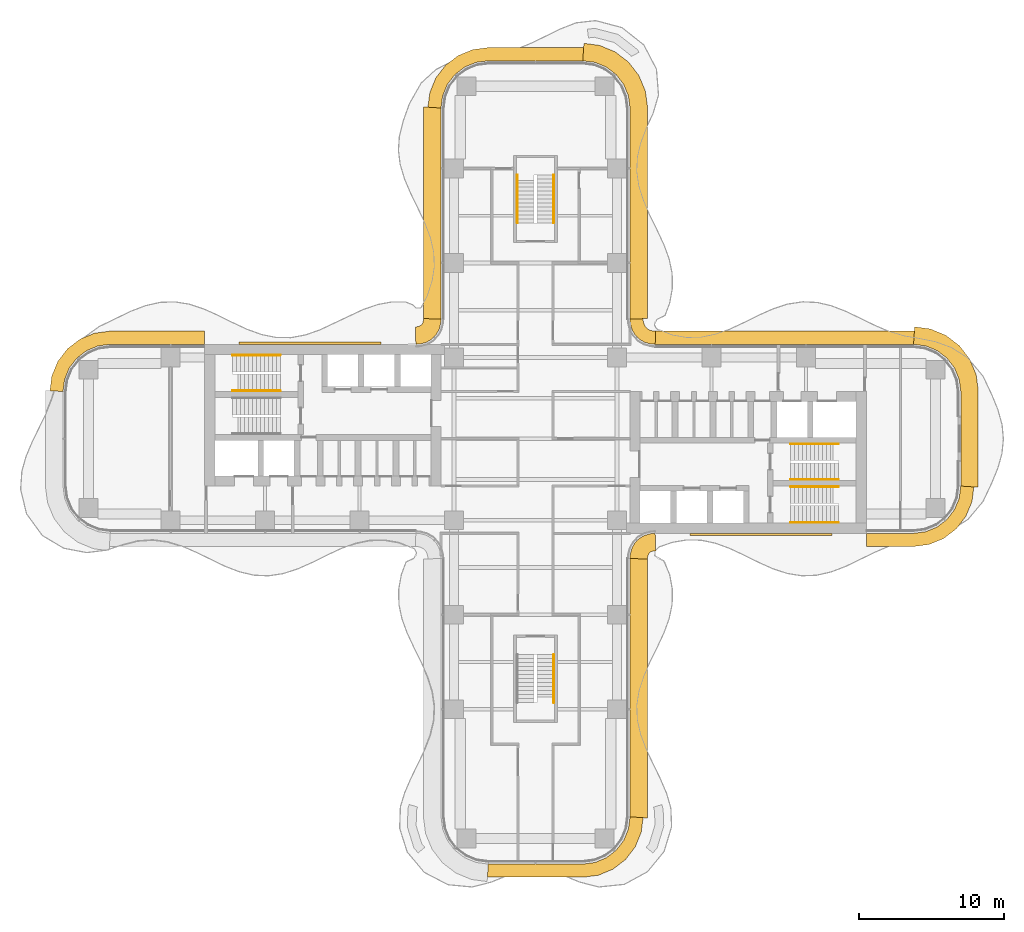
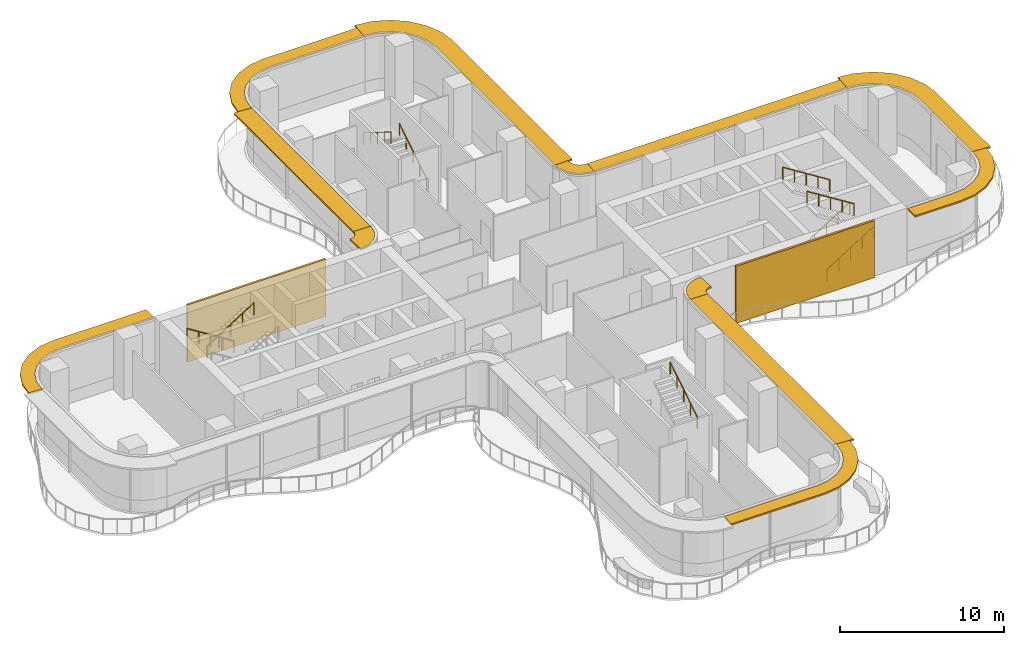
# One storey, part 21 of 21: 12 shading devices, 9 railings, 2 coverings.
"""IFC4 building model written with IfcOpenShell, lengths in metres."""

from ifc_helpers import new_model, si_unit, direction, frame, origin, origin_2d, place, context, subcontext, project, spatial, polyline, circle, outline, extrude, source, transform, mapped, material, layer, layer_set, type_object, element, save


model = new_model("IFC4")

# Units and contexts
model_context = context("Model", 3, precision=1e-05, world=origin(), true_north=direction((0.0, 1.0)))
body_context = subcontext(model_context, "Body", "Model", "MODEL_VIEW")
ifc_project = project(units=[si_unit("LENGTHUNIT", "METRE"), si_unit("AREAUNIT", "SQUARE_METRE"), si_unit("VOLUMEUNIT", "CUBIC_METRE"), si_unit("PLANEANGLEUNIT", "RADIAN"), si_unit("MASSUNIT", "GRAM", prefix="KILO")], contexts=[model_context])

# Site, building, storey
site_placement = place(None, origin())
site = spatial("IfcSite", under=ifc_project, at=site_placement, CompositionType="ELEMENT")
building_placement = place(site_placement, origin())
building = spatial("IfcBuilding", under=site, at=building_placement, Name="Trellis Farm Tower", CompositionType="ELEMENT")
storey_placement = place(building_placement, frame((0.0, 0.0, 115.5)))
storey = spatial("IfcBuildingStorey", under=building, at=storey_placement, Name="L24", CompositionType="ELEMENT", Elevation=115.5)

# Railings
ifc_material_1 = material(Name="Stainless steel", Category="steel")
railing_type = type_object("IfcRailingType", Name="STAIR HANDRAIL 900", PredefinedType="HANDRAIL", material=ifc_material_1)
shared_shape_1 = source(origin(), body_context, "Body", "SweptSolid", [
    extrude(circle(Radius=0.02392578125, at=origin_2d()), frame((0.0, 0.0, 0.8759765625), z_axis=(0.0, 0.846319618018, 0.532675421018), x_axis=(-1.0, 0.0, 0.0)), (0.0, 0.0, 1.0), 3.89892578125),
    extrude(circle(Radius=0.02099609375, at=origin_2d()), origin(), (0.0, 0.0, 1.0), 0.851806640625),
    extrude(circle(Radius=0.02099609375, at=origin_2d()), frame((0.0, 0.824951171875, 0.519287109375)), (0.0, 0.0, 1.0), 0.851806640625),
    extrude(circle(Radius=0.02099609375, at=origin_2d()), frame((0.0, 1.64990234375, 1.03857421875)), (0.0, 0.0, 1.0), 0.851806640625),
    extrude(circle(Radius=0.02099609375, at=origin_2d()), frame((0.0, 2.474853515625, 1.5576171875)), (0.0, 0.0, 1.0), 0.851806640625),
    extrude(circle(Radius=0.02099609375, at=origin_2d()), frame((0.0, 3.2998046875, 2.076904296875)), (0.0, 0.0, 1.0), 0.851806640625),
])
for number, where, name in (
    (1, (1.25, 14.85009765625, 0.173095703125), "Stair handrail"),
    (2, (1.25, -18.14990234375, 2.423095703125), "Stair handrail"),
):
    element("IfcRailing", number, at=place(storey_placement, frame(where)), inside=storey, type_object=railing_type, Name=name, PredefinedType="HANDRAIL", context=body_context, shape_type="MappedRepresentation", body=[
        mapped(shared_shape_1, transform((0.0, 0.0, 0.0))),
    ])
shared_shape_2 = source(origin(), body_context, "Body", "SweptSolid", [
    extrude(circle(Radius=0.02392578125, at=origin_2d()), frame((0.0, 0.0, 0.8759765625), z_axis=(0.0, -0.846319618018, 0.532675421018), x_axis=(1.0, 0.0, 0.0)), (0.0, 0.0, 1.0), 3.89892578125),
    extrude(circle(Radius=0.02099609375, at=origin_2d()), origin(), (0.0, 0.0, 1.0), 0.851806640625),
    extrude(circle(Radius=0.02099609375, at=origin_2d()), frame((0.0, -0.824951171875, 0.519287109375)), (0.0, 0.0, 1.0), 0.851806640625),
    extrude(circle(Radius=0.02099609375, at=origin_2d()), frame((0.0, -1.64990234375, 1.03857421875)), (0.0, 0.0, 1.0), 0.851806640625),
    extrude(circle(Radius=0.02099609375, at=origin_2d()), frame((0.0, -2.474853515625, 1.5576171875)), (0.0, 0.0, 1.0), 0.851806640625),
    extrude(circle(Radius=0.02099609375, at=origin_2d()), frame((0.0, -3.2998046875, 2.076904296875)), (0.0, 0.0, 1.0), 0.851806640625),
])
railing_placement = place(storey_placement, frame((-1.25, 18.14990234375, 2.423095703125)))
element("IfcRailing", 3, at=railing_placement, inside=storey, type_object=railing_type, Name="Stair handrail", PredefinedType="HANDRAIL", context=body_context, shape_type="MappedRepresentation", body=[
    mapped(shared_shape_2, transform((0.0, 0.0, 0.0))),
])
shared_shape_3 = source(origin(), body_context, "Body", "SweptSolid", [
    extrude(circle(Radius=0.02392578125, at=origin_2d()), frame((0.0, 0.0, 0.8759765625), z_axis=(0.846337383501, 0.0, 0.532647194011), x_axis=(0.0, 1.0, 0.0)), (0.0, 0.0, 1.0), 3.899169921875),
    extrude(circle(Radius=0.02099609375, at=origin_2d()), origin(), (0.0, 0.0, 1.0), 0.851806640625),
    extrude(circle(Radius=0.02099609375, at=origin_2d()), frame((0.824951171875, 0.0, 0.519287109375)), (0.0, 0.0, 1.0), 0.851806640625),
    extrude(circle(Radius=0.02099609375, at=origin_2d()), frame((1.64990234375, 0.0, 1.03857421875)), (0.0, 0.0, 1.0), 0.851806640625),
    extrude(circle(Radius=0.02099609375, at=origin_2d()), frame((2.47509765625, 0.0, 1.5576171875)), (0.0, 0.0, 1.0), 0.851806640625),
    extrude(circle(Radius=0.02099609375, at=origin_2d()), frame((3.300048828125, 0.0, 2.076904296875)), (0.0, 0.0, 1.0), 0.851806640625),
])
for number, where, name in (
    (4, (17.550048828125, -5.75, 0.173095703125), "Stair handrail"),
    (5, (17.550048828125, -2.800048828125, 0.173095703125), "Stair handrail"),
    (6, (-20.85009765625, 3.300048828125, 2.423095703125), "Stair handrail"),
):
    element("IfcRailing", number, at=place(storey_placement, frame(where)), inside=storey, type_object=railing_type, Name=name, PredefinedType="HANDRAIL", context=body_context, shape_type="MappedRepresentation", body=[
        mapped(shared_shape_3, transform((0.0, 0.0, 0.0))),
    ])
shared_shape_4 = source(origin(), body_context, "Body", "SweptSolid", [
    extrude(circle(Radius=0.02392578125, at=origin_2d()), frame((0.0, 0.0, 0.8759765625), z_axis=(-0.846337383501, 0.0, 0.532647194011), x_axis=(0.0, -1.0, 0.0)), (0.0, 0.0, 1.0), 3.899169921875),
    extrude(circle(Radius=0.02099609375, at=origin_2d()), origin(), (0.0, 0.0, 1.0), 0.851806640625),
    extrude(circle(Radius=0.02099609375, at=origin_2d()), frame((-0.824951171875, 0.0, 0.519287109375)), (0.0, 0.0, 1.0), 0.851806640625),
    extrude(circle(Radius=0.02099609375, at=origin_2d()), frame((-1.64990234375, 0.0, 1.03857421875)), (0.0, 0.0, 1.0), 0.851806640625),
    extrude(circle(Radius=0.02099609375, at=origin_2d()), frame((-2.47509765625, 0.0, 1.5576171875)), (0.0, 0.0, 1.0), 0.851806640625),
    extrude(circle(Radius=0.02099609375, at=origin_2d()), frame((-3.300048828125, 0.0, 2.076904296875)), (0.0, 0.0, 1.0), 0.851806640625),
])
for number, where, name in (
    (7, (20.85009765625, -3.300048828125, 2.423095703125), "Stair handrail"),
    (8, (20.85009765625, -0.35009765625, 2.423095703125), "Stair handrail"),
    (9, (-17.550048828125, 5.75, 0.173095703125), "Stair handrail"),
):
    element("IfcRailing", number, at=place(storey_placement, frame(where)), inside=storey, type_object=railing_type, Name=name, PredefinedType="HANDRAIL", context=body_context, shape_type="MappedRepresentation", body=[
        mapped(shared_shape_4, transform((0.0, 0.0, 0.0))),
    ])

# Shading devices
ifc_material_2 = material(Name="Aluminium extrusion 6063-T6", Category="aluminium")
ifc_layer_1 = layer(ifc_material_2, 0.1201171875)
ifc_layer_set_1 = layer_set([ifc_layer_1], Name="SUNSHADE BLADE 900")
shading_device_type_1 = type_object("IfcShadingDeviceType", Name="SUNSHADE BLADE 900", PredefinedType="USERDEFINED", material=ifc_layer_set_1)
shared_shape_5 = source(origin(), body_context, "Body", "SweptSolid", [
    extrude(outline(polyline([(-3.30908203125, -30.14990234375), (3.30908203125, -30.14990234375), (4.326171875, -30.01611328125), (5.328857421875, -29.600830078125), (6.18994140625, -28.93994140625), (6.850830078125, -28.078857421875), (7.26611328125, -27.076171875), (7.39990234375, -26.05908203125), (6.5, -26.0), (6.38916015625, -26.841064453125), (6.064697265625, -27.625), (5.548095703125, -28.298095703125), (4.875, -28.814697265625), (4.091064453125, -29.13916015625), (3.25, -29.25), (-3.25, -29.25), (-3.30908203125, -30.14990234375)])), origin(), (0.0, 0.0, 1.0), 0.119873046875),
])
placement_1 = place(storey_placement, frame((0.0, 0.0, 4.090087890625)))
element("IfcShadingDevice", 10, at=placement_1, inside=storey, type_object=shading_device_type_1, Name="SD1 004", ObjectType="SUNSHADE", PredefinedType="USERDEFINED", context=body_context, shape_type="MappedRepresentation", body=[
    mapped(shared_shape_5, transform((0.0, 0.0, 0.0))),
])
ifc_layer_2 = layer(ifc_material_2, 0.1201171875)
ifc_layer_set_2 = layer_set([ifc_layer_2], Name="SUNSHADE BLADE 1200")
shading_device_type_2 = type_object("IfcShadingDeviceType", Name="SUNSHADE BLADE 1200", PredefinedType="USERDEFINED", material=ifc_layer_set_2)
shared_shape_6 = source(origin(), body_context, "Body", "SweptSolid", [
    extrude(outline(polyline([(7.699951171875, -26.07861328125), (7.699951171875, -8.270751953125), (6.5, -8.2314453125), (6.5, -26.0), (7.699951171875, -26.07861328125)])), origin(), (0.0, 0.0, 1.0), 0.119873046875),
])
element("IfcShadingDevice", 11, at=placement_1, inside=storey, type_object=shading_device_type_2, Name="SD2 005", ObjectType="SUNSHADE", PredefinedType="USERDEFINED", context=body_context, shape_type="MappedRepresentation", body=[
    mapped(shared_shape_6, transform((0.0, 0.0, 0.0))),
])
shared_shape_7 = source(origin(), body_context, "Body", "SweptSolid", [
    extrude(outline(polyline([(7.699951171875, -8.270751953125), (7.708740234375, -8.13720703125), (7.70703125, -8.150146484375), (7.7548828125, -7.9716796875), (7.80712890625, -7.881103515625), (7.881103515625, -7.80712890625), (7.9716796875, -7.7548828125), (8.150146484375, -7.70703125), (8.13720703125, -7.708740234375), (8.270751953125, -7.699951171875), (8.2314453125, -6.5), (8.01953125, -6.513916015625), (7.91552734375, -6.527587890625), (7.508544921875, -6.63671875), (7.144287109375, -6.846923828125), (6.846923828125, -7.144287109375), (6.63671875, -7.508544921875), (6.527587890625, -7.91552734375), (6.513916015625, -8.01953125), (6.5, -8.2314453125), (7.699951171875, -8.270751953125)])), origin(), (0.0, 0.0, 1.0), 0.119873046875),
])
element("IfcShadingDevice", 12, at=placement_1, inside=storey, type_object=shading_device_type_2, Name="SD2 006", ObjectType="SUNSHADE", PredefinedType="USERDEFINED", context=body_context, shape_type="MappedRepresentation", body=[
    mapped(shared_shape_7, transform((0.0, 0.0, 0.0))),
])
shared_shape_8 = source(origin(), body_context, "Body", "SweptSolid", [
    extrude(outline(polyline([(8.2607421875, 7.39990234375), (8.107666015625, 7.409912109375), (8.091552734375, 7.412109375), (7.85595703125, 7.475341796875), (7.697021484375, 7.567138671875), (7.567138671875, 7.697021484375), (7.475341796875, 7.85595703125), (7.412109375, 8.091552734375), (7.409912109375, 8.107666015625), (7.39990234375, 8.2607421875), (6.5, 8.2314453125), (6.513916015625, 8.01953125), (6.527587890625, 7.91552734375), (6.63671875, 7.508544921875), (6.846923828125, 7.144287109375), (7.144287109375, 6.846923828125), (7.508544921875, 6.63671875), (7.91552734375, 6.527587890625), (8.01953125, 6.513916015625), (8.2314453125, 6.5), (8.2607421875, 7.39990234375)])), origin(), (0.0, 0.0, 1.0), 0.119873046875),
])
element("IfcShadingDevice", 13, at=placement_1, inside=storey, type_object=shading_device_type_1, Name="SD1 010", ObjectType="SUNSHADE", PredefinedType="USERDEFINED", context=body_context, shape_type="MappedRepresentation", body=[
    mapped(shared_shape_8, transform((0.0, 0.0, 0.0))),
])
shared_shape_9 = source(origin(), body_context, "Body", "SweptSolid", [
    extrude(outline(polyline([(-7.699951171875, 8.270751953125), (-7.708740234375, 8.13720703125), (-7.70703125, 8.150146484375), (-7.7548828125, 7.9716796875), (-7.80712890625, 7.881103515625), (-7.881103515625, 7.80712890625), (-7.9716796875, 7.7548828125), (-8.150146484375, 7.70703125), (-8.13720703125, 7.708740234375), (-8.270751953125, 7.699951171875), (-8.2314453125, 6.5), (-8.01953125, 6.513916015625), (-7.91552734375, 6.527587890625), (-7.508544921875, 6.63671875), (-7.144287109375, 6.846923828125), (-6.846923828125, 7.144287109375), (-6.63671875, 7.508544921875), (-6.527587890625, 7.91552734375), (-6.513916015625, 8.01953125), (-6.5, 8.2314453125), (-7.699951171875, 8.270751953125)])), origin(), (0.0, 0.0, 1.0), 0.119873046875),
])
element("IfcShadingDevice", 14, at=placement_1, inside=storey, type_object=shading_device_type_2, Name="SD2 014", ObjectType="SUNSHADE", PredefinedType="USERDEFINED", context=body_context, shape_type="MappedRepresentation", body=[
    mapped(shared_shape_9, transform((0.0, 0.0, 0.0))),
])
shared_shape_10 = source(origin(), body_context, "Body", "SweptSolid", [
    extrude(outline(polyline([(-22.780029296875, 7.39990234375), (-29.30908203125, 7.39990234375), (-30.326171875, 7.26611328125), (-31.328857421875, 6.850830078125), (-32.18994140625, 6.18994140625), (-32.850830078125, 5.328857421875), (-33.26611328125, 4.326171875), (-33.39990234375, 3.30908203125), (-32.5, 3.25), (-32.38916015625, 4.091064453125), (-32.064697265625, 4.875), (-31.548095703125, 5.548095703125), (-30.875, 6.064697265625), (-30.091064453125, 6.38916015625), (-29.25, 6.5), (-22.780029296875, 6.5), (-22.780029296875, 7.39990234375)])), origin(), (0.0, 0.0, 1.0), 0.119873046875),
])
element("IfcShadingDevice", 15, at=placement_1, inside=storey, type_object=shading_device_type_1, Name="SD1 015", ObjectType="SUNSHADE", PredefinedType="USERDEFINED", context=body_context, shape_type="MappedRepresentation", body=[
    mapped(shared_shape_10, transform((0.0, 0.0, 0.0))),
])

# Coverings
ifc_material_3 = material(Name="Perforated precast screen (cobogo)", Category="concrete")
ifc_layer_3 = layer(ifc_material_3, 0.14990234375)
ifc_layer_set_3 = layer_set([ifc_layer_3], Name="COBOGO SCREEN PANEL")
covering_type = type_object("IfcCoveringType", Name="COBOGO SCREEN PANEL", PredefinedType="USERDEFINED", material=ifc_layer_set_3)
shared_shape_11 = source(origin(), body_context, "Body", "SweptSolid", [
    extrude(outline(polyline([(10.630615234375, -6.64990234375), (20.380615234375, -6.64990234375), (20.380615234375, -6.5), (10.630615234375, -6.5), (10.630615234375, -6.64990234375)])), origin(), (0.0, 0.0, 1.0), 4.25),
])
placement_2 = place(storey_placement, origin())
element("IfcCovering", 16, at=placement_2, inside=storey, type_object=covering_type, Name="SC1 01", ObjectType="SCREEN", PredefinedType="USERDEFINED", context=body_context, shape_type="MappedRepresentation", body=[
    mapped(shared_shape_11, transform((0.0, 0.0, 0.0))),
])
shared_shape_12 = source(origin(), body_context, "Body", "SweptSolid", [
    extrude(outline(polyline([(-10.630615234375, 6.64990234375), (-20.380615234375, 6.64990234375), (-20.380615234375, 6.5), (-10.630615234375, 6.5), (-10.630615234375, 6.64990234375)])), origin(), (0.0, 0.0, 1.0), 4.25),
])
element("IfcCovering", 17, at=placement_2, inside=storey, type_object=covering_type, Name="SC1 02", ObjectType="SCREEN", PredefinedType="USERDEFINED", context=body_context, shape_type="MappedRepresentation", body=[
    mapped(shared_shape_12, transform((0.0, 0.0, 0.0))),
])

# Shading devices
shared_shape_13 = source(origin(), body_context, "Body", "SweptSolid", [
    extrude(outline(polyline([(7.699951171875, 8.270751953125), (7.699951171875, 22.82861328125), (7.558349609375, 23.904541015625), (7.11279296875, 24.980224609375), (6.404052734375, 25.904052734375), (5.480224609375, 26.61279296875), (4.404541015625, 27.058349609375), (3.32861328125, 27.199951171875), (3.25, 26.0), (4.091064453125, 25.88916015625), (4.875, 25.564697265625), (5.548095703125, 25.048095703125), (6.064697265625, 24.375), (6.38916015625, 23.591064453125), (6.5, 22.75), (6.5, 8.2314453125), (7.699951171875, 8.270751953125)])), origin(), (0.0, 0.0, 1.0), 0.119873046875),
])
element("IfcShadingDevice", 18, at=placement_1, inside=storey, type_object=shading_device_type_2, Name="SD2 011", ObjectType="SUNSHADE", PredefinedType="USERDEFINED", context=body_context, shape_type="MappedRepresentation", body=[
    mapped(shared_shape_13, transform((0.0, 0.0, 0.0))),
])
shared_shape_14 = source(origin(), body_context, "Body", "SweptSolid", [
    extrude(outline(polyline([(3.30908203125, 26.89990234375), (-3.30908203125, 26.89990234375), (-4.326171875, 26.76611328125), (-5.328857421875, 26.350830078125), (-6.18994140625, 25.68994140625), (-6.850830078125, 24.828857421875), (-7.26611328125, 23.826171875), (-7.39990234375, 22.80908203125), (-6.5, 22.75), (-6.38916015625, 23.591064453125), (-6.064697265625, 24.375), (-5.548095703125, 25.048095703125), (-4.875, 25.564697265625), (-4.091064453125, 25.88916015625), (-3.25, 26.0), (3.25, 26.0), (3.30908203125, 26.89990234375)])), origin(), (0.0, 0.0, 1.0), 0.119873046875),
])
element("IfcShadingDevice", 19, at=placement_1, inside=storey, type_object=shading_device_type_1, Name="SD1 012", ObjectType="SUNSHADE", PredefinedType="USERDEFINED", context=body_context, shape_type="MappedRepresentation", body=[
    mapped(shared_shape_14, transform((0.0, 0.0, 0.0))),
])
shared_shape_15 = source(origin(), body_context, "Body", "SweptSolid", [
    extrude(outline(polyline([(-7.699951171875, 22.82861328125), (-7.699951171875, 8.270751953125), (-6.5, 8.2314453125), (-6.5, 22.75), (-7.699951171875, 22.82861328125)])), origin(), (0.0, 0.0, 1.0), 0.119873046875),
])
element("IfcShadingDevice", 20, at=placement_1, inside=storey, type_object=shading_device_type_2, Name="SD2 013", ObjectType="SUNSHADE", PredefinedType="USERDEFINED", context=body_context, shape_type="MappedRepresentation", body=[
    mapped(shared_shape_15, transform((0.0, 0.0, 0.0))),
])
shared_shape_16 = source(origin(), body_context, "Body", "SweptSolid", [
    extrude(outline(polyline([(22.780029296875, -7.39990234375), (26.05908203125, -7.39990234375), (27.076171875, -7.26611328125), (28.078857421875, -6.850830078125), (28.93994140625, -6.18994140625), (29.600830078125, -5.328857421875), (30.01611328125, -4.326171875), (30.14990234375, -3.30908203125), (29.25, -3.25), (29.13916015625, -4.091064453125), (28.814697265625, -4.875), (28.298095703125, -5.548095703125), (27.625, -6.064697265625), (26.841064453125, -6.38916015625), (26.0, -6.5), (22.780029296875, -6.5), (22.780029296875, -7.39990234375)])), origin(), (0.0, 0.0, 1.0), 0.119873046875),
])
element("IfcShadingDevice", 21, at=placement_1, inside=storey, type_object=shading_device_type_1, Name="SD1 007", ObjectType="SUNSHADE", PredefinedType="USERDEFINED", context=body_context, shape_type="MappedRepresentation", body=[
    mapped(shared_shape_16, transform((0.0, 0.0, 0.0))),
])
shared_shape_17 = source(origin(), body_context, "Body", "SweptSolid", [
    extrude(outline(polyline([(30.449951171875, -3.32861328125), (30.449951171875, 3.32861328125), (30.308349609375, 4.404541015625), (29.86279296875, 5.480224609375), (29.154052734375, 6.404052734375), (28.230224609375, 7.11279296875), (27.154541015625, 7.558349609375), (26.07861328125, 7.699951171875), (26.0, 6.5), (26.841064453125, 6.38916015625), (27.625, 6.064697265625), (28.298095703125, 5.548095703125), (28.814697265625, 4.875), (29.13916015625, 4.091064453125), (29.25, 3.25), (29.25, -3.25), (30.449951171875, -3.32861328125)])), origin(), (0.0, 0.0, 1.0), 0.119873046875),
])
element("IfcShadingDevice", 22, at=placement_1, inside=storey, type_object=shading_device_type_2, Name="SD2 008", ObjectType="SUNSHADE", PredefinedType="USERDEFINED", context=body_context, shape_type="MappedRepresentation", body=[
    mapped(shared_shape_17, transform((0.0, 0.0, 0.0))),
])
shared_shape_18 = source(origin(), body_context, "Body", "SweptSolid", [
    extrude(outline(polyline([(26.05908203125, 7.39990234375), (8.2607421875, 7.39990234375), (8.2314453125, 6.5), (26.0, 6.5), (26.05908203125, 7.39990234375)])), origin(), (0.0, 0.0, 1.0), 0.119873046875),
])
element("IfcShadingDevice", 23, at=placement_1, inside=storey, type_object=shading_device_type_1, Name="SD1 009", ObjectType="SUNSHADE", PredefinedType="USERDEFINED", context=body_context, shape_type="MappedRepresentation", body=[
    mapped(shared_shape_18, transform((0.0, 0.0, 0.0))),
])

save(model, "model.ifc")
